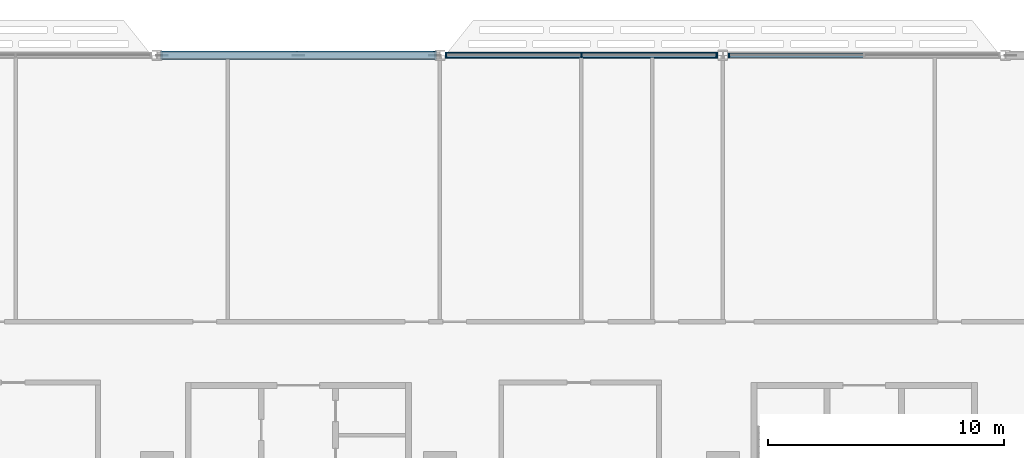
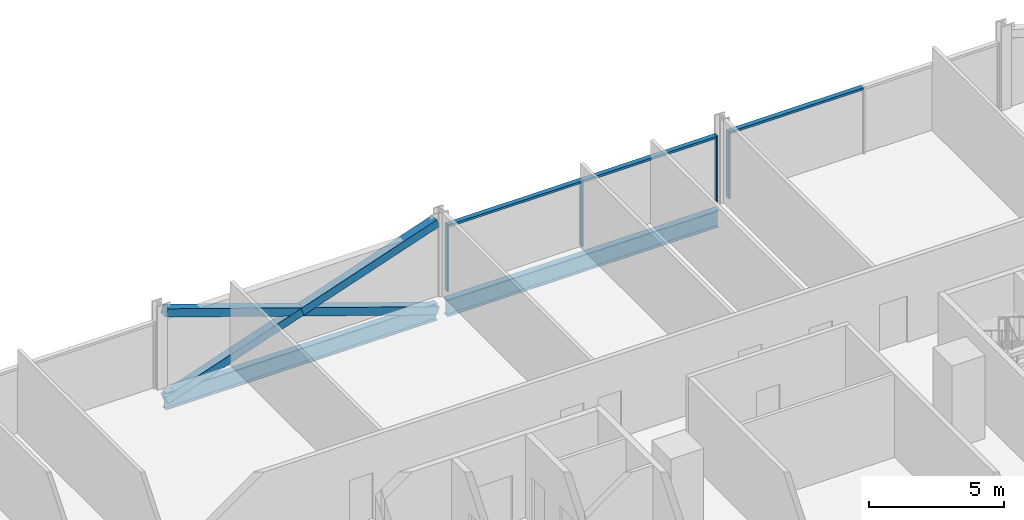
# One storey, part 7 of 29: 10 members, 2 beams, 2 elements without a shape of their own.
"""IFC4 building model written with IfcOpenShell, lengths in metres."""

from ifc_helpers import new_model, si_unit, direction, frame, origin, origin_2d, place, context, subcontext, project, spatial, rectangle, hollow_rectangle, i_section, extrude, material, material_profile, profile_set, type_object, element, aggregate, save


model = new_model("IFC4")

# Units and contexts
model_context = context("Model", 3, precision=1e-05, world=origin(), true_north=direction((0.0, 1.0)))
body_context = subcontext(model_context, "Body", "Model", "MODEL_VIEW")
ifc_project = project(units=[si_unit("LENGTHUNIT", "METRE"), si_unit("AREAUNIT", "SQUARE_METRE"), si_unit("VOLUMEUNIT", "CUBIC_METRE"), si_unit("PLANEANGLEUNIT", "RADIAN"), si_unit("MASSUNIT", "GRAM", prefix="KILO")], contexts=[model_context])

# Site, building, storey
site_placement = place(None, origin())
site = spatial("IfcSite", under=ifc_project, at=site_placement, CompositionType="ELEMENT")
building_placement = place(site_placement, origin())
building = spatial("IfcBuilding", under=site, at=building_placement, Name="Mahtab Terrace Research Tower", CompositionType="ELEMENT")
storey_placement = place(building_placement, frame((0.0, 0.0, 109.39990234375)))
storey = spatial("IfcBuildingStorey", under=building, at=storey_placement, Name="L25", CompositionType="ELEMENT", Elevation=109.39990234375)

# Members
ifc_material_1 = material(Name="Steel ASTM A500 Gr C", Category="steel")
ifc_material_profile_1 = material_profile(ifc_material_1, hollow_rectangle(XDim=0.355712890625, YDim=0.355712890625, WallThickness=0.01904296875, at=origin_2d()), Name="HSS14X14X3/4")
ifc_profile_set_1 = profile_set([ifc_material_profile_1], Name="Steel ASTM A500 Gr C")
member_type_1 = type_object("IfcMemberType", Name="HSS 14x14x3/4 brace XB141434", PredefinedType="BRACE", material=ifc_profile_set_1)
member_1_placement = place(storey_placement, frame((5.79052734375, 29.0, -0.646728515625), z_axis=(-0.946292853795, 0.0, 0.323310740397), x_axis=(0.0, -1.0, 0.0)))
element("IfcMember", 1, at=member_1_placement, inside=storey, type_object=member_type_1, Name="Exoskeleton brace L25 05 a", PredefinedType="BRACE", context=body_context, shape_type="SweptSolid", body=[
    extrude(hollow_rectangle(XDim=0.355712890625, YDim=0.355712890625, WallThickness=0.01904296875, at=origin_2d()), origin(), (0.0, 0.0, 1.0), 12.23828125),
])
for number, where, z_axis, x_axis, name in (
    (2, (-5.79052734375, 29.0, -0.646728515625), (0.946298956945, 0.0, 0.323292876639), (0.0, 1.0, 0.0), "Exoskeleton brace L25 05 b1"),
    (3, (0.0, 29.0, 1.33154296875), (0.946286750388, 0.0, 0.323328603809), (0.0, 1.0, 0.0), "Exoskeleton brace L25 05 b2"),
):
    element("IfcMember", number, at=place(storey_placement, frame(where, z_axis=z_axis, x_axis=x_axis)), inside=storey, type_object=member_type_1, Name=name, PredefinedType="BRACE", context=body_context, shape_type="SweptSolid", body=[
        extrude(hollow_rectangle(XDim=0.355712890625, YDim=0.355712890625, WallThickness=0.01904296875, at=origin_2d()), origin(), (0.0, 0.0, 1.0), 6.119140625),
    ])

# Curtain wall, member
ifc_material_2 = material(Name="Laboratory ribbon curtain wall")
curtain_wall_type = type_object("IfcCurtainWallType", Name="Laboratory ribbon curtain wall", PredefinedType="NOTDEFINED", material=ifc_material_2)
curtain_wall_1_placement = place(storey_placement, origin())
curtain_wall_1 = element("IfcCurtainWall", 4, at=curtain_wall_1_placement, inside=storey, type_object=curtain_wall_type, Name="EN.L25.3.5", PredefinedType="NOTDEFINED")
ifc_material_3 = material(Name="Natural anodised aluminium", Category="aluminium")
ifc_material_profile_2 = material_profile(ifc_material_3, rectangle(XDim=0.199951171875, YDim=0.06494140625, at=origin_2d()), Name="MULLION 65x200")
ifc_profile_set_2 = profile_set([ifc_material_profile_2], Name="Natural anodised aluminium")
member_type_2 = type_object("IfcMemberType", Name="Laboratory ribbon curtain wall mullion", PredefinedType="MULLION", material=ifc_profile_set_2)
member_2_placement = place(storey_placement, frame((18.260498046875, 29.0, 0.0), z_axis=(0.0, 0.0, 1.0), x_axis=(0.0, -1.0, 0.0)))
member_2 = element("IfcMember", 5, at=member_2_placement, type_object=member_type_2, Name="CWL-3 mullion 3", PredefinedType="MULLION", context=body_context, shape_type="SweptSolid", body=[
    extrude(rectangle(XDim=0.199951171875, YDim=0.06494140625, at=origin_2d()), origin(), (0.0, 0.0, 1.0), 3.003173828125),
])

# Curtain wall, members
curtain_wall_2_placement = place(storey_placement, origin())
curtain_wall_2 = element("IfcCurtainWall", 6, at=curtain_wall_2_placement, inside=storey, type_object=curtain_wall_type, Name="EN.L25.3.6", PredefinedType="NOTDEFINED")
member_3_placement = place(storey_placement, frame((17.739501953125, 29.0, 0.0), z_axis=(0.0, 0.0, 1.0), x_axis=(0.0, -1.0, 0.0)))
member_3 = element("IfcMember", 7, at=member_3_placement, type_object=member_type_2, Name="CWL-3 mullion 1", PredefinedType="MULLION", context=body_context, shape_type="SweptSolid", body=[
    extrude(rectangle(XDim=0.199951171875, YDim=0.06494140625, at=origin_2d()), origin(), (0.0, 0.0, 1.0), 3.003173828125),
])
member_4_placement = place(storey_placement, frame((12.0, 29.0, 0.0), z_axis=(0.0, 0.0, 1.0), x_axis=(0.0, -1.0, 0.0)))
member_4 = element("IfcMember", 8, at=member_4_placement, type_object=member_type_2, Name="CWL-3 mullion 2", PredefinedType="MULLION", context=body_context, shape_type="SweptSolid", body=[
    extrude(rectangle(XDim=0.199951171875, YDim=0.06494140625, at=origin_2d()), origin(), (0.0, 0.0, 1.0), 3.003173828125),
])
member_5_placement = place(storey_placement, frame((6.260498046875, 29.0, 0.0), z_axis=(0.0, 0.0, 1.0), x_axis=(0.0, -1.0, 0.0)))
member_5 = element("IfcMember", 9, at=member_5_placement, type_object=member_type_2, Name="CWL-3 mullion 3", PredefinedType="MULLION", context=body_context, shape_type="SweptSolid", body=[
    extrude(rectangle(XDim=0.199951171875, YDim=0.06494140625, at=origin_2d()), origin(), (0.0, 0.0, 1.0), 3.003173828125),
])

# Member
ifc_material_profile_3 = material_profile(ifc_material_3, rectangle(XDim=0.199951171875, YDim=0.10009765625, at=origin_2d()), Name="TRANSOM 100x200")
ifc_profile_set_3 = profile_set([ifc_material_profile_3], Name="Natural anodised aluminium")
member_type_3 = type_object("IfcMemberType", Name="Laboratory ribbon curtain wall transom", PredefinedType="USERDEFINED", material=ifc_profile_set_3)
member_6_placement = place(storey_placement, frame((23.967529296875, 29.0, 2.953125), z_axis=(-1.0, 0.0, 0.0), x_axis=(0.0, -1.0, 0.0)))
member_6 = element("IfcMember", 10, at=member_6_placement, type_object=member_type_3, Name="CWL-3 transom 2", ObjectType="TRANSOM", PredefinedType="USERDEFINED", context=body_context, shape_type="SweptSolid", body=[
    extrude(rectangle(XDim=0.199951171875, YDim=0.10009765625, at=origin_2d()), origin(), (0.0, 0.0, 1.0), 5.674560546875),
])

aggregate(curtain_wall_1, [member_2, member_6])

member_7_placement = place(storey_placement, frame((17.70703125, 29.0, 2.953125), z_axis=(-1.0, 0.0, 0.0), x_axis=(0.0, -1.0, 0.0)))
member_7 = element("IfcMember", 11, at=member_7_placement, type_object=member_type_3, Name="CWL-3 transom 1", ObjectType="TRANSOM", PredefinedType="USERDEFINED", context=body_context, shape_type="SweptSolid", body=[
    extrude(rectangle(XDim=0.199951171875, YDim=0.10009765625, at=origin_2d()), origin(), (0.0, 0.0, 1.0), 5.674560546875),
])

member_8_placement = place(storey_placement, frame((11.967529296875, 29.0, 2.953125), z_axis=(-1.0, 0.0, 0.0), x_axis=(0.0, -1.0, 0.0)))
member_8 = element("IfcMember", 12, at=member_8_placement, type_object=member_type_3, Name="CWL-3 transom 2", ObjectType="TRANSOM", PredefinedType="USERDEFINED", context=body_context, shape_type="SweptSolid", body=[
    extrude(rectangle(XDim=0.199951171875, YDim=0.10009765625, at=origin_2d()), origin(), (0.0, 0.0, 1.0), 5.674560546875),
])

aggregate(curtain_wall_2, [member_3, member_4, member_5, member_7, member_8])

# Beams
ifc_material_4 = material(Name="Steel ASTM A992 Gr 50", Category="steel")
ifc_material_profile_4 = material_profile(ifc_material_4, i_section(OverallWidth=0.2666015625, OverallDepth=0.7568359375, WebThickness=0.013916015625, FlangeThickness=0.019287109375, at=origin_2d()), Name="W30X108")
ifc_profile_set_4 = profile_set([ifc_material_profile_4], Name="Steel ASTM A992 Gr 50")
beam_type = type_object("IfcBeamType", Name="W30x108 beam BS30108", PredefinedType="BEAM", material=ifc_profile_set_4)
for number, where, z_axis, x_axis, name in (
    (13, (17.79052734375, 29.0, -0.71826171875), (-1.0, 0.0, 0.0), (0.0, -1.0, 0.0), "Spandrel beam L25 04"),
    (14, (5.79052734375, 29.0, -0.71826171875), (-1.0, 0.0, 0.0), (0.0, -1.0, 0.0), "Spandrel beam L25 05"),
):
    element("IfcBeam", number, at=place(storey_placement, frame(where, z_axis=z_axis, x_axis=x_axis)), inside=storey, type_object=beam_type, Name=name, PredefinedType="BEAM", context=body_context, shape_type="SweptSolid", body=[
        extrude(i_section(OverallWidth=0.2666015625, OverallDepth=0.7568359375, WebThickness=0.013916015625, FlangeThickness=0.019287109375, at=origin_2d()), origin(), (0.0, 0.0, 1.0), 11.5810546875),
    ])

save(model, "model.ifc")
